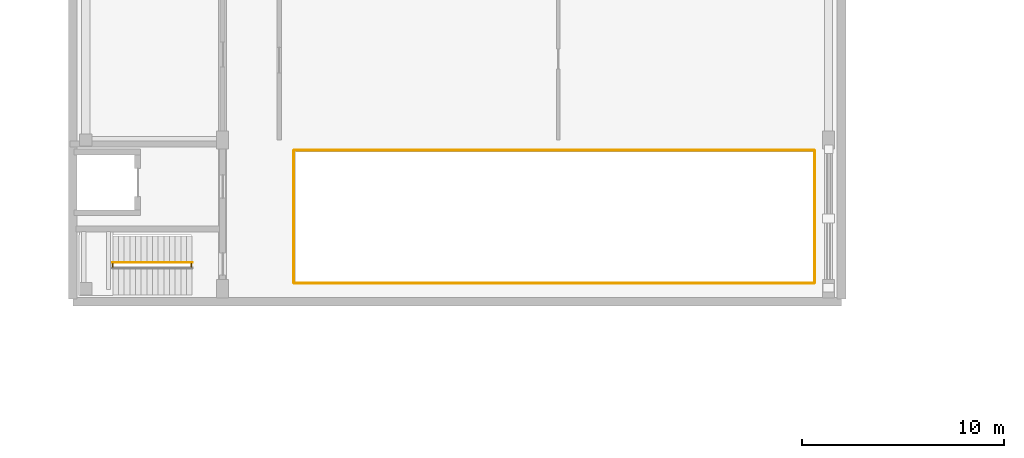
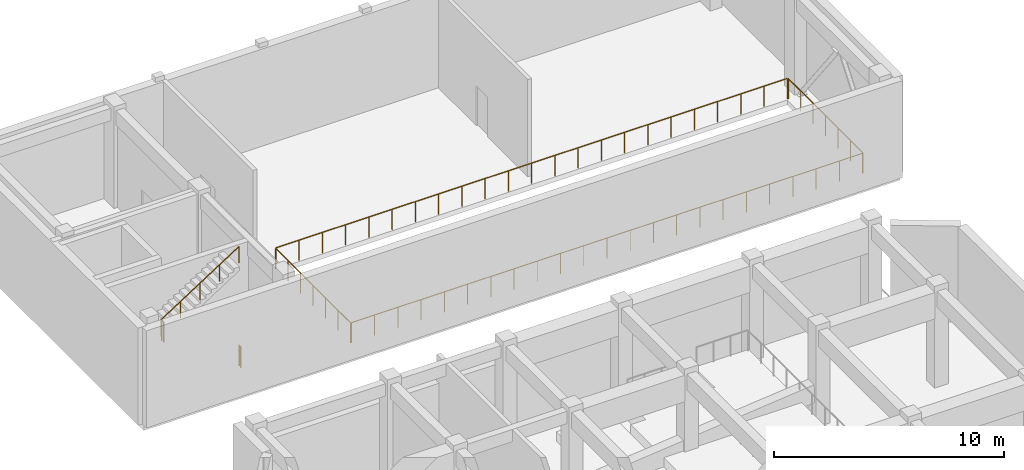
# One storey, part 57 of 64: 7 railings.
"""IFC4 building model written with IfcOpenShell, lengths in metres."""

import ifcopenshell
import ifcopenshell.guid

model = None  # the IFC model being written
_history = None  # IfcOwnerHistory: only IFC2X3 demands one
_inside = {}  # id of a spatial element -> (the spatial element, [elements in it])
_under = {}  # id of a project, library or spatial element -> (it, [spatial elements below it])
_declared = {}  # id of a project -> (the project, [libraries it declares])
_typed = {}  # id of a type object -> (the type object, [elements of that type])
_made_of = {}  # id of a material, layer set ... -> (it, [elements and type objects made of it])


def new_model(schema):
    """Start an empty IFC model of exactly this schema.

    Asked for "IFC4X3", IfcOpenShell would pick the latest addendum, in which some entities
    have other attributes; the version numbers below select the first issue.
    IFC2X3 requires an IfcOwnerHistory on every rooted entity: one is made here for all.
    """
    global model, _history
    if schema == "IFC4X3":
        model = ifcopenshell.file(schema_version=(4, 3, 0, 0))
    else:
        model = ifcopenshell.file(schema=schema)
    _inside.clear()
    _under.clear()
    _declared.clear()
    _typed.clear()
    _made_of.clear()
    _history = None
    if model.schema == "IFC2X3":
        org = make("IfcOrganization", Name="unknown")
        user = make(
            "IfcPersonAndOrganization",
            ThePerson=make("IfcPerson", FamilyName="unknown"),
            TheOrganization=org,
        )
        app = make(
            "IfcApplication",
            ApplicationDeveloper=org,
            Version="unknown",
            ApplicationFullName="unknown",
            ApplicationIdentifier="unknown",
        )
        _history = make(
            "IfcOwnerHistory",
            OwningUser=user,
            OwningApplication=app,
            ChangeAction="ADDED",
            CreationDate=0,
        )
    return model


def make(cls, **values):
    """One entity of the class cls with the attributes given. An attribute that is None is left unset."""
    return model.create_entity(
        cls, **{name: value for name, value in values.items() if value is not None}
    )


def rooted(cls, **values):
    """An entity with a GlobalId (a new one), such as an element, a storey or a relation."""
    return make(cls, GlobalId=ifcopenshell.guid.new(), OwnerHistory=_history, **values)


def si_unit(unit_type, name, prefix=None):
    """IfcSIUnit, for example si_unit("LENGTHUNIT", "METRE", prefix="MILLI")."""
    return make("IfcSIUnit", UnitType=unit_type, Prefix=prefix, Name=name)


def assignment(units):
    """IfcUnitAssignment: the units of a project."""
    return None if units is None else make("IfcUnitAssignment", Units=units)


def point(xyz):
    """IfcCartesianPoint."""
    return None if xyz is None else make("IfcCartesianPoint", Coordinates=xyz)


def direction(xyz):
    """IfcDirection."""
    return None if xyz is None else make("IfcDirection", DirectionRatios=xyz)


def frame(location, z_axis=None, x_axis=None):
    """IfcAxis2Placement3D, a coordinate frame: its origin and axes. An axis left out is left unset."""
    return make(
        "IfcAxis2Placement3D",
        Location=point(location),
        Axis=direction(z_axis),
        RefDirection=direction(x_axis),
    )


def frame_2d(location, x_axis=None):
    """IfcAxis2Placement2D, a coordinate frame in the plane: its origin and x axis."""
    return make(
        "IfcAxis2Placement2D", Location=point(location), RefDirection=direction(x_axis)
    )


def origin():
    """The frame at (0, 0, 0) with its axes left unset."""
    return frame((0.0, 0.0, 0.0))


def origin_2d():
    """The frame at (0, 0) in the plane with its x axis left unset."""
    return frame_2d((0.0, 0.0))


def place(relative_to, where):
    """IfcLocalPlacement: puts the frame where relative to a parent placement (None: the world)."""
    return make(
        "IfcLocalPlacement", PlacementRelTo=relative_to, RelativePlacement=where
    )


def context(
    kind, dimensions, precision=None, world=None, true_north=None, identifier=None
):
    """IfcGeometricRepresentationContext, for example the 3D "Model" context."""
    return make(
        "IfcGeometricRepresentationContext",
        ContextIdentifier=identifier,
        ContextType=kind,
        CoordinateSpaceDimension=dimensions,
        Precision=precision,
        WorldCoordinateSystem=world,
        TrueNorth=true_north,
    )


def subcontext(parent, identifier, kind, view, scale=None):
    """IfcGeometricRepresentationSubContext, for example "Body" below "Model"."""
    return make(
        "IfcGeometricRepresentationSubContext",
        ContextIdentifier=identifier,
        ContextType=kind,
        ParentContext=parent,
        TargetScale=scale,
        TargetView=view,
    )


def project(units=None, contexts=None):
    """IfcProject with its units and contexts."""
    return rooted(
        "IfcProject",
        Name="project",
        RepresentationContexts=contexts,
        UnitsInContext=assignment(units),
    )


def spatial(cls, under=None, at=None, **own):
    """A site, building, storey or space (cls), placed at a placement, below another one or the project."""
    s = rooted(cls, ObjectPlacement=at, **own)
    if under is not None:
        _under.setdefault(under.id(), (under, []))[1].append(s)
    return s


def profile(cls, at=None, kind="AREA", **sizes):
    """A parametric profile (cls). Its sizes go by their IFC names, for example OverallWidth=200.0."""
    return make(cls, ProfileType=kind, Position=at, **sizes)


def circle(**sizes):
    """IfcCircleProfileDef."""
    return profile("IfcCircleProfileDef", **sizes)


def extrude(swept, where, along, depth):
    """IfcExtrudedAreaSolid: the profile swept, set in the frame where, extruded along a direction by depth."""
    return make(
        "IfcExtrudedAreaSolid",
        SweptArea=swept,
        Position=where,
        ExtrudedDirection=direction(along),
        Depth=depth,
    )


def shape(context_of_items, identifier, shape_type, items):
    """IfcShapeRepresentation: the items that make up one representation, for example the "Body"."""
    return make(
        "IfcShapeRepresentation",
        ContextOfItems=context_of_items,
        RepresentationIdentifier=identifier,
        RepresentationType=shape_type,
        Items=items,
    )


def material(Name=None, Category=None):
    """IfcMaterial."""
    return make("IfcMaterial", Name=Name, Category=Category)


def made_of(thing, what):
    """Note that an element or type object is made of a material, layer set ...; save() writes the relation."""
    if what is not None:
        _made_of.setdefault(what.id(), (what, []))[1].append(thing)
    return thing


def type_object(cls, material=None, **own):
    """A type object (cls), such as IfcWallType, which elements share."""
    return made_of(rooted(cls, **own), material)


def element(
    cls,
    number,
    at=None,
    inside=None,
    cuts=None,
    type_object=None,
    material=None,
    context=None,
    identifier="Body",
    shape_type=None,
    held_by="IfcProductDefinitionShape",
    body=None,
    shapes=None,
    **own,
):
    """One element of the class cls, such as IfcWall. Its Tag is "e" and its number.

    at: its placement. inside: the storey or other place that contains it. cuts: it is an
    opening in that element (IfcRelVoidsElement). A single representation is given by context,
    identifier, shape_type and body (its items); several are given by shapes. held_by: the class
    of the entity that holds the representations. save() writes the other relations.
    """
    e = rooted(cls, Tag="e%d" % number, ObjectPlacement=at, **own)
    if body is not None:
        shapes = [shape(context, identifier, shape_type, body)]
    if shapes is not None:
        e.Representation = make(held_by, Representations=shapes)
    if inside is not None:
        _inside.setdefault(inside.id(), (inside, []))[1].append(e)
    if cuts is not None:
        rooted(
            "IfcRelVoidsElement", RelatingBuildingElement=cuts, RelatedOpeningElement=e
        )
    if type_object is not None:
        _typed.setdefault(type_object.id(), (type_object, []))[1].append(e)
    return made_of(e, material)


def aggregate(whole, parts):
    """IfcRelAggregates: a whole, such as a stair, and the parts it consists of."""
    return rooted("IfcRelAggregates", RelatingObject=whole, RelatedObjects=parts)


def save(model, path):
    """Write the relations noted so far, then the file.

    IfcRelAggregates (storeys below a building ...), IfcRelContainedInSpatialStructure (elements
    in a storey), IfcRelDefinesByType, IfcRelAssociatesMaterial and IfcRelDeclares: one each for
    every whole, place, type object, material and project.
    """
    for whole, parts in _under.values():
        aggregate(whole, parts)
    for where, things in _inside.values():
        rooted(
            "IfcRelContainedInSpatialStructure",
            RelatedElements=things,
            RelatingStructure=where,
        )
    for kind, things in _typed.values():
        rooted("IfcRelDefinesByType", RelatedObjects=things, RelatingType=kind)
    for what, things in _made_of.values():
        rooted("IfcRelAssociatesMaterial", RelatedObjects=things, RelatingMaterial=what)
    for by, libraries in _declared.values():
        rooted("IfcRelDeclares", RelatingContext=by, RelatedDefinitions=libraries)
    model.write(path)


model = new_model("IFC4")

# Units and contexts
model_context = context("Model", 3, precision=1e-05, world=origin(), true_north=direction((0.0, 1.0)))
body_context = subcontext(model_context, "Body", "Model", "MODEL_VIEW")
ifc_project = project(units=[si_unit("LENGTHUNIT", "METRE"), si_unit("AREAUNIT", "SQUARE_METRE"), si_unit("VOLUMEUNIT", "CUBIC_METRE"), si_unit("PLANEANGLEUNIT", "RADIAN"), si_unit("MASSUNIT", "GRAM", prefix="KILO")], contexts=[model_context])

# Site, building, storey
site_placement = place(None, origin())
site = spatial("IfcSite", under=ifc_project, at=site_placement, CompositionType="ELEMENT")
building_placement = place(site_placement, origin())
building = spatial("IfcBuilding", under=site, at=building_placement, Name="Cinchona Park Media Centre", CompositionType="ELEMENT")
storey_placement = place(building_placement, frame((0.0, 0.0, 10.199951171875)))
storey = spatial("IfcBuildingStorey", under=building, at=storey_placement, Name="L02", CompositionType="ELEMENT", Elevation=10.199951171875)

# Railings
ifc_material_1 = material(Name="Galvanised Painted Steel Balustrade", Category="steel")
railing_type_1 = type_object("IfcRailingType", Name="RAILING-GR01", PredefinedType="BALUSTRADE", material=ifc_material_1)
railing_1_placement = place(storey_placement, frame((18.951904296875, 102.919921875, 0.0)))
element("IfcRailing", 1, at=railing_1_placement, inside=storey, type_object=railing_type_1, Name="Atrium Balustrade GR01 VOID-L02-BST1 S1", PredefinedType="BALUSTRADE", context=body_context, shape_type="SweptSolid", body=[
    extrude(circle(Radius=0.02392578125, at=origin_2d()), frame((0.0, 0.0, 1.076171875), z_axis=(1.0, 0.0, 0.0), x_axis=(0.0, 1.0, 0.0)), (0.0, 0.0, 1.0), 25.696044921875),
    extrude(circle(Radius=0.02099609375, at=origin_2d()), origin(), (0.0, 0.0, 1.0), 1.052001953125),
    extrude(circle(Radius=0.02099609375, at=origin_2d()), frame((1.16796875, 0.0, 0.0)), (0.0, 0.0, 1.0), 1.052001953125),
    extrude(circle(Radius=0.02099609375, at=origin_2d()), frame((2.3359375, 0.0, 0.0)), (0.0, 0.0, 1.0), 1.052001953125),
    extrude(circle(Radius=0.02099609375, at=origin_2d()), frame((3.50390625, 0.0, 0.0)), (0.0, 0.0, 1.0), 1.052001953125),
    extrude(circle(Radius=0.02099609375, at=origin_2d()), frame((4.672119140625, 0.0, 0.0)), (0.0, 0.0, 1.0), 1.052001953125),
    extrude(circle(Radius=0.02099609375, at=origin_2d()), frame((5.840087890625, 0.0, 0.0)), (0.0, 0.0, 1.0), 1.052001953125),
    extrude(circle(Radius=0.02099609375, at=origin_2d()), frame((7.008056640625, 0.0, 0.0)), (0.0, 0.0, 1.0), 1.052001953125),
    extrude(circle(Radius=0.02099609375, at=origin_2d()), frame((8.176025390625, 0.0, 0.0)), (0.0, 0.0, 1.0), 1.052001953125),
    extrude(circle(Radius=0.02099609375, at=origin_2d()), frame((9.343994140625, 0.0, 0.0)), (0.0, 0.0, 1.0), 1.052001953125),
    extrude(circle(Radius=0.02099609375, at=origin_2d()), frame((10.511962890625, 0.0, 0.0)), (0.0, 0.0, 1.0), 1.052001953125),
    extrude(circle(Radius=0.02099609375, at=origin_2d()), frame((11.679931640625, 0.0, 0.0)), (0.0, 0.0, 1.0), 1.052001953125),
    extrude(circle(Radius=0.02099609375, at=origin_2d()), frame((12.84814453125, 0.0, 0.0)), (0.0, 0.0, 1.0), 1.052001953125),
    extrude(circle(Radius=0.02099609375, at=origin_2d()), frame((14.01611328125, 0.0, 0.0)), (0.0, 0.0, 1.0), 1.052001953125),
    extrude(circle(Radius=0.02099609375, at=origin_2d()), frame((15.18408203125, 0.0, 0.0)), (0.0, 0.0, 1.0), 1.052001953125),
    extrude(circle(Radius=0.02099609375, at=origin_2d()), frame((16.35205078125, 0.0, 0.0)), (0.0, 0.0, 1.0), 1.052001953125),
    extrude(circle(Radius=0.02099609375, at=origin_2d()), frame((17.52001953125, 0.0, 0.0)), (0.0, 0.0, 1.0), 1.052001953125),
    extrude(circle(Radius=0.02099609375, at=origin_2d()), frame((18.68798828125, 0.0, 0.0)), (0.0, 0.0, 1.0), 1.052001953125),
    extrude(circle(Radius=0.02099609375, at=origin_2d()), frame((19.85595703125, 0.0, 0.0)), (0.0, 0.0, 1.0), 1.052001953125),
    extrude(circle(Radius=0.02099609375, at=origin_2d()), frame((21.02392578125, 0.0, 0.0)), (0.0, 0.0, 1.0), 1.052001953125),
    extrude(circle(Radius=0.02099609375, at=origin_2d()), frame((22.192138671875, 0.0, 0.0)), (0.0, 0.0, 1.0), 1.052001953125),
    extrude(circle(Radius=0.02099609375, at=origin_2d()), frame((23.360107421875, 0.0, 0.0)), (0.0, 0.0, 1.0), 1.052001953125),
    extrude(circle(Radius=0.02099609375, at=origin_2d()), frame((24.528076171875, 0.0, 0.0)), (0.0, 0.0, 1.0), 1.052001953125),
    extrude(circle(Radius=0.02099609375, at=origin_2d()), frame((25.696044921875, 0.0, 0.0)), (0.0, 0.0, 1.0), 1.052001953125),
])
railing_2_placement = place(storey_placement, frame((44.679931640625, 102.951904296875, 0.0)))
element("IfcRailing", 2, at=railing_2_placement, inside=storey, type_object=railing_type_1, Name="Atrium Balustrade GR01 VOID-L02-BST1 S2", PredefinedType="BALUSTRADE", context=body_context, shape_type="SweptSolid", body=[
    extrude(circle(Radius=0.02392578125, at=origin_2d()), frame((0.0, 0.0, 1.076171875), z_axis=(0.0, 1.0, 0.0), x_axis=(-1.0, 0.0, 0.0)), (0.0, 0.0, 1.0), 6.49609375),
    extrude(circle(Radius=0.02099609375, at=origin_2d()), origin(), (0.0, 0.0, 1.0), 1.052001953125),
    extrude(circle(Radius=0.02099609375, at=origin_2d()), frame((0.0, 1.082763671875, 0.0)), (0.0, 0.0, 1.0), 1.052001953125),
    extrude(circle(Radius=0.02099609375, at=origin_2d()), frame((0.0, 2.165283203125, 0.0)), (0.0, 0.0, 1.0), 1.052001953125),
    extrude(circle(Radius=0.02099609375, at=origin_2d()), frame((0.0, 3.248046875, 0.0)), (0.0, 0.0, 1.0), 1.052001953125),
    extrude(circle(Radius=0.02099609375, at=origin_2d()), frame((0.0, 4.330810546875, 0.0)), (0.0, 0.0, 1.0), 1.052001953125),
    extrude(circle(Radius=0.02099609375, at=origin_2d()), frame((0.0, 5.413330078125, 0.0)), (0.0, 0.0, 1.0), 1.052001953125),
    extrude(circle(Radius=0.02099609375, at=origin_2d()), frame((0.0, 6.49609375, 0.0)), (0.0, 0.0, 1.0), 1.052001953125),
])
railing_3_placement = place(storey_placement, frame((44.64794921875, 109.47998046875, 0.0)))
element("IfcRailing", 3, at=railing_3_placement, inside=storey, type_object=railing_type_1, Name="Atrium Balustrade GR01 VOID-L02-BST1 S3", PredefinedType="BALUSTRADE", context=body_context, shape_type="SweptSolid", body=[
    extrude(circle(Radius=0.02392578125, at=origin_2d()), frame((0.0, 0.0, 1.076171875), z_axis=(-1.0, 0.0, 0.0), x_axis=(0.0, -1.0, 0.0)), (0.0, 0.0, 1.0), 25.696044921875),
    extrude(circle(Radius=0.02099609375, at=origin_2d()), origin(), (0.0, 0.0, 1.0), 1.052001953125),
    extrude(circle(Radius=0.02099609375, at=origin_2d()), frame((-1.16796875, 0.0, 0.0)), (0.0, 0.0, 1.0), 1.052001953125),
    extrude(circle(Radius=0.02099609375, at=origin_2d()), frame((-2.3359375, 0.0, 0.0)), (0.0, 0.0, 1.0), 1.052001953125),
    extrude(circle(Radius=0.02099609375, at=origin_2d()), frame((-3.50390625, 0.0, 0.0)), (0.0, 0.0, 1.0), 1.052001953125),
    extrude(circle(Radius=0.02099609375, at=origin_2d()), frame((-4.672119140625, 0.0, 0.0)), (0.0, 0.0, 1.0), 1.052001953125),
    extrude(circle(Radius=0.02099609375, at=origin_2d()), frame((-5.840087890625, 0.0, 0.0)), (0.0, 0.0, 1.0), 1.052001953125),
    extrude(circle(Radius=0.02099609375, at=origin_2d()), frame((-7.008056640625, 0.0, 0.0)), (0.0, 0.0, 1.0), 1.052001953125),
    extrude(circle(Radius=0.02099609375, at=origin_2d()), frame((-8.176025390625, 0.0, 0.0)), (0.0, 0.0, 1.0), 1.052001953125),
    extrude(circle(Radius=0.02099609375, at=origin_2d()), frame((-9.343994140625, 0.0, 0.0)), (0.0, 0.0, 1.0), 1.052001953125),
    extrude(circle(Radius=0.02099609375, at=origin_2d()), frame((-10.511962890625, 0.0, 0.0)), (0.0, 0.0, 1.0), 1.052001953125),
    extrude(circle(Radius=0.02099609375, at=origin_2d()), frame((-11.679931640625, 0.0, 0.0)), (0.0, 0.0, 1.0), 1.052001953125),
    extrude(circle(Radius=0.02099609375, at=origin_2d()), frame((-12.84814453125, 0.0, 0.0)), (0.0, 0.0, 1.0), 1.052001953125),
    extrude(circle(Radius=0.02099609375, at=origin_2d()), frame((-14.01611328125, 0.0, 0.0)), (0.0, 0.0, 1.0), 1.052001953125),
    extrude(circle(Radius=0.02099609375, at=origin_2d()), frame((-15.18408203125, 0.0, 0.0)), (0.0, 0.0, 1.0), 1.052001953125),
    extrude(circle(Radius=0.02099609375, at=origin_2d()), frame((-16.35205078125, 0.0, 0.0)), (0.0, 0.0, 1.0), 1.052001953125),
    extrude(circle(Radius=0.02099609375, at=origin_2d()), frame((-17.52001953125, 0.0, 0.0)), (0.0, 0.0, 1.0), 1.052001953125),
    extrude(circle(Radius=0.02099609375, at=origin_2d()), frame((-18.68798828125, 0.0, 0.0)), (0.0, 0.0, 1.0), 1.052001953125),
    extrude(circle(Radius=0.02099609375, at=origin_2d()), frame((-19.85595703125, 0.0, 0.0)), (0.0, 0.0, 1.0), 1.052001953125),
    extrude(circle(Radius=0.02099609375, at=origin_2d()), frame((-21.02392578125, 0.0, 0.0)), (0.0, 0.0, 1.0), 1.052001953125),
    extrude(circle(Radius=0.02099609375, at=origin_2d()), frame((-22.192138671875, 0.0, 0.0)), (0.0, 0.0, 1.0), 1.052001953125),
    extrude(circle(Radius=0.02099609375, at=origin_2d()), frame((-23.360107421875, 0.0, 0.0)), (0.0, 0.0, 1.0), 1.052001953125),
    extrude(circle(Radius=0.02099609375, at=origin_2d()), frame((-24.528076171875, 0.0, 0.0)), (0.0, 0.0, 1.0), 1.052001953125),
    extrude(circle(Radius=0.02099609375, at=origin_2d()), frame((-25.696044921875, 0.0, 0.0)), (0.0, 0.0, 1.0), 1.052001953125),
])
railing_4_placement = place(storey_placement, frame((18.919921875, 109.447998046875, 0.0)))
element("IfcRailing", 4, at=railing_4_placement, inside=storey, type_object=railing_type_1, Name="Atrium Balustrade GR01 VOID-L02-BST1 S4", PredefinedType="BALUSTRADE", context=body_context, shape_type="SweptSolid", body=[
    extrude(circle(Radius=0.02392578125, at=origin_2d()), frame((0.0, 0.0, 1.076171875), z_axis=(0.0, -1.0, 0.0), x_axis=(1.0, 0.0, 0.0)), (0.0, 0.0, 1.0), 6.49609375),
    extrude(circle(Radius=0.02099609375, at=origin_2d()), origin(), (0.0, 0.0, 1.0), 1.052001953125),
    extrude(circle(Radius=0.02099609375, at=origin_2d()), frame((0.0, -1.082763671875, 0.0)), (0.0, 0.0, 1.0), 1.052001953125),
    extrude(circle(Radius=0.02099609375, at=origin_2d()), frame((0.0, -2.165283203125, 0.0)), (0.0, 0.0, 1.0), 1.052001953125),
    extrude(circle(Radius=0.02099609375, at=origin_2d()), frame((0.0, -3.248046875, 0.0)), (0.0, 0.0, 1.0), 1.052001953125),
    extrude(circle(Radius=0.02099609375, at=origin_2d()), frame((0.0, -4.330810546875, 0.0)), (0.0, 0.0, 1.0), 1.052001953125),
    extrude(circle(Radius=0.02099609375, at=origin_2d()), frame((0.0, -5.413330078125, 0.0)), (0.0, 0.0, 1.0), 1.052001953125),
    extrude(circle(Radius=0.02099609375, at=origin_2d()), frame((0.0, -6.49609375, 0.0)), (0.0, 0.0, 1.0), 1.052001953125),
])
ifc_material_2 = material(Name="Painted Steel Stairwell Guardrail", Category="steel")
railing_type_2 = type_object("IfcRailingType", Name="RAILING-GR02", PredefinedType="GUARDRAIL", material=ifc_material_2)
for number, where, name in (
    (5, (13.864990234375, 103.719970703125, 0.0), "Stairwell Guardrail GR02 ST4 L02"),
    (6, (9.97998046875, 103.719970703125, 2.699951171875), "Half-Landing Guardrail GR02 ST4 L02"),
):
    element("IfcRailing", number, at=place(storey_placement, frame(where)), inside=storey, type_object=railing_type_2, Name=name, PredefinedType="GUARDRAIL", context=body_context, shape_type="SweptSolid", body=[
        extrude(circle(Radius=0.02392578125, at=origin_2d()), frame((0.0, 0.0, 1.076171875), z_axis=(0.0, 1.0, 0.0), x_axis=(-1.0, 0.0, 0.0)), (0.0, 0.0, 1.0), 0.159912109375),
        extrude(circle(Radius=0.02099609375, at=origin_2d()), origin(), (0.0, 0.0, 1.0), 1.052001953125),
        extrude(circle(Radius=0.02099609375, at=origin_2d()), frame((0.0, 0.159912109375, 0.0)), (0.0, 0.0, 1.0), 1.052001953125),
    ])
ifc_material_3 = material(Name="Brushed Stainless Steel Handrail", Category="steel")
railing_type_3 = type_object("IfcRailingType", Name="RAILING-HR01", PredefinedType="HANDRAIL", material=ifc_material_3)
railing_5_placement = place(storey_placement, frame((9.97998046875, 103.93994140625, 2.880126953125)))
element("IfcRailing", 7, at=railing_5_placement, inside=storey, type_object=railing_type_3, Name="Stair Handrail HR01 ST4 L02 F2", PredefinedType="HANDRAIL", context=body_context, shape_type="SweptSolid", body=[
    extrude(circle(Radius=0.02392578125, at=origin_2d()), frame((0.0, 0.0, 0.8759765625), z_axis=(0.841171666519, 0.0, 0.540768182723), x_axis=(0.0, 1.0, 0.0)), (0.0, 0.0, 1.0), 4.66015625),
    extrude(circle(Radius=0.02099609375, at=origin_2d()), origin(), (0.0, 0.0, 1.0), 0.851806640625),
    extrude(circle(Radius=0.02099609375, at=origin_2d()), frame((0.97998046875, 0.0, 0.6298828125)), (0.0, 0.0, 1.0), 0.851806640625),
    extrude(circle(Radius=0.02099609375, at=origin_2d()), frame((1.9599609375, 0.0, 1.260009765625)), (0.0, 0.0, 1.0), 0.851806640625),
    extrude(circle(Radius=0.02099609375, at=origin_2d()), frame((2.93994140625, 0.0, 1.89013671875)), (0.0, 0.0, 1.0), 0.851806640625),
    extrude(circle(Radius=0.02099609375, at=origin_2d()), frame((3.919921875, 0.0, 2.52001953125)), (0.0, 0.0, 1.0), 0.851806640625),
])

save(model, "model.ifc")
